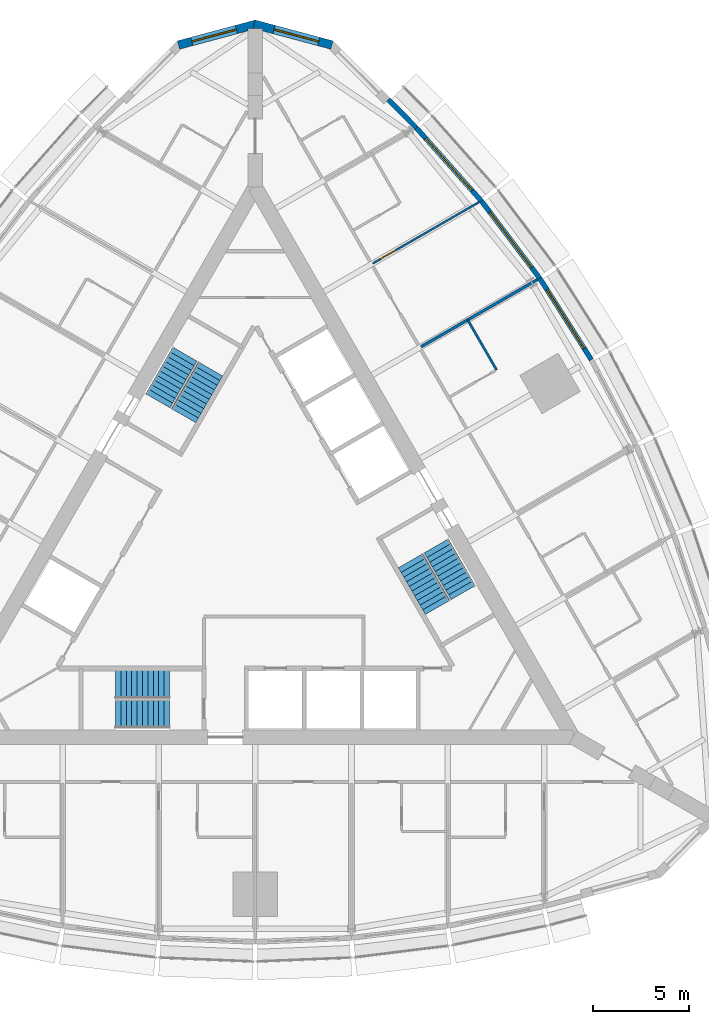
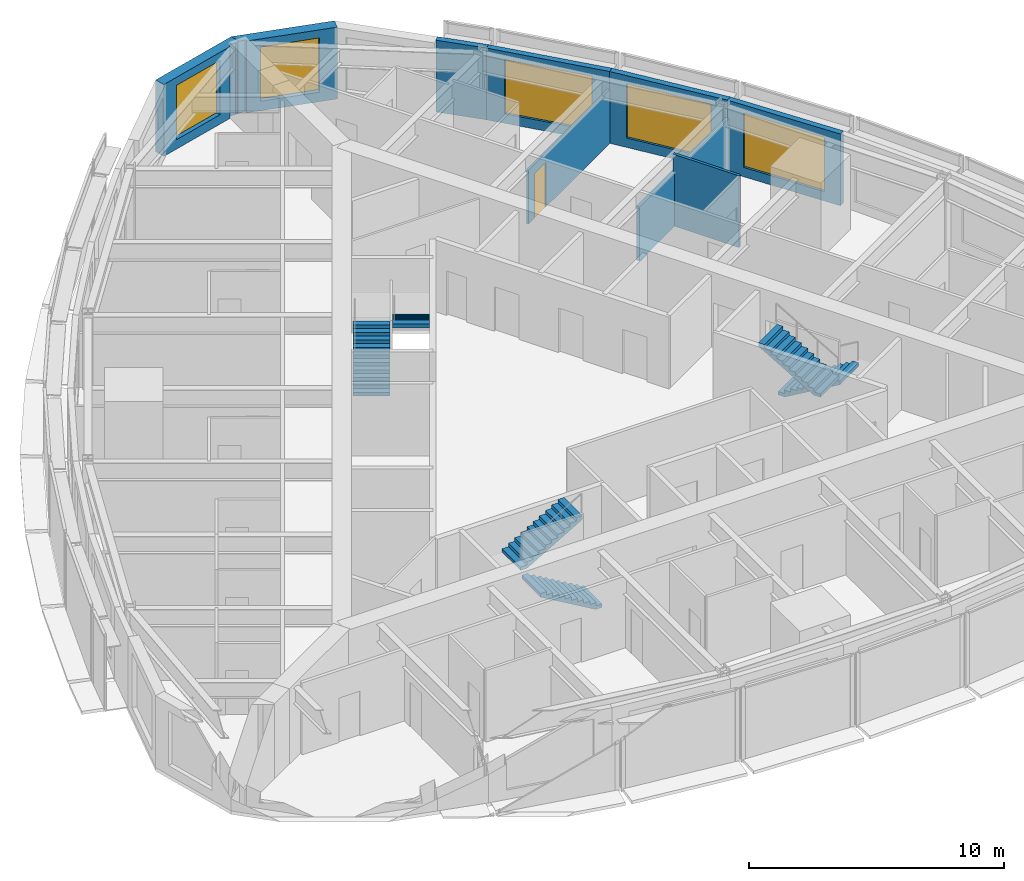
# One storey, part 14 of 15: 9 walls, 6 stair flights, 5 windows, 1 door, 6 openings, 3 elements without a shape of their own.
"""IFC4 building model written with IfcOpenShell, lengths in metres."""

from ifc_helpers import new_model, si_unit, direction, frame, frame_2d, origin, place, context, subcontext, project, spatial, polyline, rectangle, outline, extrude, material, layer, layer_set, type_object, element, fill, aggregate, save


model = new_model("IFC4")

# Units and contexts
model_context = context("Model", 3, precision=1e-05, world=origin(), true_north=direction((0.0, 1.0)))
body_context = subcontext(model_context, "Body", "Model", "MODEL_VIEW")
ifc_project = project(units=[si_unit("LENGTHUNIT", "METRE"), si_unit("AREAUNIT", "SQUARE_METRE"), si_unit("VOLUMEUNIT", "CUBIC_METRE"), si_unit("PLANEANGLEUNIT", "RADIAN"), si_unit("MASSUNIT", "GRAM", prefix="KILO")], contexts=[model_context])

# Site, building, storey
site_placement = place(None, origin())
site = spatial("IfcSite", under=ifc_project, at=site_placement, CompositionType="ELEMENT")
building_placement = place(site_placement, origin())
building = spatial("IfcBuilding", under=site, at=building_placement, Name="Trikona Tower", CompositionType="ELEMENT")
storey_placement = place(building_placement, frame((0.0, 0.0, 211.699951171875)))
storey = spatial("IfcBuildingStorey", under=building, at=storey_placement, Name="L56", CompositionType="ELEMENT", Elevation=211.699951171875)

# Wall
ifc_material_1 = material(Name="Metal stud and cement board", Category="gypsum")
ifc_layer_1 = layer(ifc_material_1, 0.1201171875)
ifc_layer_set_1 = layer_set([ifc_layer_1], Name="Bathroom wall 120")
wall_type_1 = type_object("IfcWallType", Name="Bathroom wall 120", PredefinedType="PLUMBINGWALL", material=ifc_layer_set_1)
wall_1_placement = place(storey_placement, frame((12.53271484375, 9.545166015625, 0.0), z_axis=(0.0, 0.0, 1.0), x_axis=(-0.499990139034, 0.866031096941, 0.0)))
element("IfcWall", 1, at=wall_1_placement, inside=storey, type_object=wall_type_1, Name="Bathroom wall 5608", PredefinedType="PLUMBINGWALL", context=body_context, shape_type="SweptSolid", body=[
    extrude(rectangle(XDim=3.0, YDim=0.1201171875, at=frame_2d((1.5, 0.0))), origin(), (0.0, 0.0, 1.0), 3.43505859375),
])

# Wall, opening, window
ifc_material_2 = material(Name="Brick-faced precast concrete", Category="masonry")
ifc_layer_2 = layer(ifc_material_2, 0.449951171875)
ifc_layer_set_2 = layer_set([ifc_layer_2], Name="Brick-faced corner wall 450")
wall_type_2 = type_object("IfcWallType", Name="Brick-faced corner wall 450", PredefinedType="SOLIDWALL", material=ifc_layer_set_2)
wall_2_placement = place(storey_placement, frame((3.9833984375, 26.41259765625, 0.0), z_axis=(0.0, 0.0, 1.0), x_axis=(-0.965920442324, 0.258839137498, 0.0)))
wall_2 = element("IfcWall", 2, at=wall_2_placement, inside=storey, type_object=wall_type_2, Name="External wall L56-21", PredefinedType="SOLIDWALL", context=body_context, shape_type="SweptSolid", body=[
    extrude(outline(polyline([(4.18408203125, 0.22509765625), (4.124267578125, 0.22509765625), (3.70556640625, 0.11279296875), (3.675537109375, 0.22509765625), (0.0, 0.22509765625), (0.0, -0.22509765625), (4.18408203125, -0.22509765625), (4.18408203125, 0.22509765625)])), origin(), (0.0, 0.0, 1.0), 3.43505859375),
])
opening_1_placement = place(wall_2_placement, frame((0.712646484375, 0.0, 0.449951171875)))
opening_1 = element("IfcOpeningElement", 3, at=opening_1_placement, cuts=wall_2, Name="Opening W2426", PredefinedType="OPENING", context=body_context, shape_type="SweptSolid", body=[
    extrude(rectangle(XDim=2.39990234375, YDim=2.60009765625, at=frame_2d((1.199951171875, 1.300048828125))), frame((0.0, 0.23486328125, 0.0), z_axis=(0.0, -1.0, 0.0), x_axis=(1.0, 0.0, 0.0)), (0.0, 0.0, 1.0), 0.469970703125),
])
ifc_material_3 = material(Name="Aluminium-framed double glazing", Category="aluminium")
window_type_1 = type_object("IfcWindowType", Name="Window 2400x2600", PartitioningType="SINGLE_PANEL", PredefinedType="WINDOW", material=ifc_material_3)
window_1_placement = place(opening_1_placement, origin())
window_1 = element("IfcWindow", 4, at=window_1_placement, inside=storey, type_object=window_type_1, Name="Window 5610", OverallHeight=2.60009765625, OverallWidth=2.39990234375, PartitioningType="SINGLE_PANEL", PredefinedType="WINDOW", context=body_context, shape_type="SweptSolid", body=[
    extrude(rectangle(XDim=2.39990234375, YDim=2.60009765625, at=frame_2d((1.199951171875, 1.300048828125))), frame((0.0, 0.030029296875, 0.0), z_axis=(0.0, -1.0, 0.0), x_axis=(1.0, 0.0, 0.0)), (0.0, 0.0, 1.0), 0.06005859375),
])
fill(opening_1, window_1)

wall_3_placement = place(storey_placement, frame((0.05810546875, 27.49560546875, 0.0), z_axis=(0.0, 0.0, 1.0), x_axis=(-0.965920442324, -0.258839137498, 0.0)))
wall_3 = element("IfcWall", 5, at=wall_3_placement, inside=storey, type_object=wall_type_2, Name="External wall L56-22", PredefinedType="SOLIDWALL", context=body_context, shape_type="SweptSolid", body=[
    extrude(outline(polyline([(4.18408203125, 0.22509765625), (0.5087890625, 0.22509765625), (0.478515625, 0.11279296875), (0.059814453125, 0.22509765625), (0.0, 0.22509765625), (0.0, -0.22509765625), (4.18408203125, -0.22509765625), (4.18408203125, 0.22509765625)])), origin(), (0.0, 0.0, 1.0), 3.43505859375),
])
opening_2_placement = place(wall_3_placement, frame((1.0712890625, 0.0, 0.449951171875)))
opening_2 = element("IfcOpeningElement", 6, at=opening_2_placement, cuts=wall_3, Name="Opening W2426", PredefinedType="OPENING", context=body_context, shape_type="SweptSolid", body=[
    extrude(rectangle(XDim=2.39990234375, YDim=2.60009765625, at=frame_2d((1.199951171875, 1.300048828125))), frame((0.0, 0.23486328125, 0.0), z_axis=(0.0, -1.0, 0.0), x_axis=(1.0, 0.0, 0.0)), (0.0, 0.0, 1.0), 0.469970703125),
])
window_2_placement = place(opening_2_placement, origin())
window_2 = element("IfcWindow", 7, at=window_2_placement, inside=storey, type_object=window_type_1, Name="Window 5611", OverallHeight=2.60009765625, OverallWidth=2.39990234375, PartitioningType="SINGLE_PANEL", PredefinedType="WINDOW", context=body_context, shape_type="SweptSolid", body=[
    extrude(rectangle(XDim=2.39990234375, YDim=2.60009765625, at=frame_2d((1.199951171875, 1.300048828125))), frame((0.0, 0.030029296875, 0.0), z_axis=(0.0, -1.0, 0.0), x_axis=(1.0, 0.0, 0.0)), (0.0, 0.0, 1.0), 0.06005859375),
])
fill(opening_2, window_2)

ifc_material_4 = material(Name="Insulated precast concrete spandrel panel", Category="concrete")
ifc_layer_3 = layer(ifc_material_4, 0.25)
ifc_layer_set_3 = layer_set([ifc_layer_3], Name="Inner skin wall 250")
wall_type_3 = type_object("IfcWallType", Name="Inner skin wall 250", PredefinedType="STANDARD", material=ifc_layer_set_3)
wall_4_placement = place(storey_placement, frame((17.45556640625, 10.072021484375, 0.0), z_axis=(0.0, 0.0, 1.0), x_axis=(-0.535220361449, 0.844712474568, 0.0)))
wall_4 = element("IfcWall", 8, at=wall_4_placement, inside=storey, type_object=wall_type_3, Name="External wall L56-16", PredefinedType="STANDARD", context=body_context, shape_type="SweptSolid", body=[
    extrude(rectangle(XDim=5.00439453125, YDim=0.25, at=frame_2d((2.502197265625, 0.0))), origin(), (0.0, 0.0, 1.0), 3.43505859375),
])
opening_3_placement = place(wall_4_placement, frame((0.7021484375, 0.0, 0.449951171875)))
opening_3 = element("IfcOpeningElement", 9, at=opening_3_placement, cuts=wall_4, Name="Opening W3626", PredefinedType="OPENING", context=body_context, shape_type="SweptSolid", body=[
    extrude(rectangle(XDim=3.60009765625, YDim=2.60009765625, at=frame_2d((1.800048828125, 1.300048828125))), frame((0.0, 0.135009765625, 0.0), z_axis=(0.0, -1.0, 0.0), x_axis=(1.0, 0.0, 0.0)), (0.0, 0.0, 1.0), 0.27001953125),
])
ifc_material_5 = material(Name="Aluminium-framed double glazing", Category="aluminium")
window_type_2 = type_object("IfcWindowType", Name="Window 3600x2600", PartitioningType="SINGLE_PANEL", PredefinedType="WINDOW", material=ifc_material_5)
window_3_placement = place(opening_3_placement, origin())
window_3 = element("IfcWindow", 10, at=window_3_placement, inside=storey, type_object=window_type_2, Name="Window 5608", OverallHeight=2.60009765625, OverallWidth=3.60009765625, PartitioningType="SINGLE_PANEL", PredefinedType="WINDOW", context=body_context, shape_type="SweptSolid", body=[
    extrude(rectangle(XDim=3.60009765625, YDim=2.60009765625, at=frame_2d((1.800048828125, 1.300048828125))), frame((0.0, 0.030029296875, 0.0), z_axis=(0.0, -1.0, 0.0), x_axis=(1.0, 0.0, 0.0)), (0.0, 0.0, 1.0), 0.06005859375),
])
fill(opening_3, window_3)

wall_5_placement = place(storey_placement, frame((14.782958984375, 14.290771484375, 0.0), z_axis=(0.0, 0.0, 1.0), x_axis=(-0.602408653511, 0.798187831388, 0.0)))
wall_5 = element("IfcWall", 11, at=wall_5_placement, inside=storey, type_object=wall_type_3, Name="External wall L56-17", PredefinedType="STANDARD", context=body_context, shape_type="SweptSolid", body=[
    extrude(rectangle(XDim=5.037841796875, YDim=0.25, at=frame_2d((2.51904296875, 0.0))), origin(), (0.0, 0.0, 1.0), 3.43505859375),
])
opening_4_placement = place(wall_5_placement, frame((0.718994140625, 0.0, 0.449951171875)))
opening_4 = element("IfcOpeningElement", 12, at=opening_4_placement, cuts=wall_5, Name="Opening W3626", PredefinedType="OPENING", context=body_context, shape_type="SweptSolid", body=[
    extrude(rectangle(XDim=3.60009765625, YDim=2.60009765625, at=frame_2d((1.800048828125, 1.300048828125))), frame((0.0, 0.135009765625, 0.0), z_axis=(0.0, -1.0, 0.0), x_axis=(1.0, 0.0, 0.0)), (0.0, 0.0, 1.0), 0.27001953125),
])
window_4_placement = place(opening_4_placement, origin())
window_4 = element("IfcWindow", 13, at=window_4_placement, inside=storey, type_object=window_type_2, Name="Window 5609", OverallHeight=2.60009765625, OverallWidth=3.60009765625, PartitioningType="SINGLE_PANEL", PredefinedType="WINDOW", context=body_context, shape_type="SweptSolid", body=[
    extrude(rectangle(XDim=3.60009765625, YDim=2.60009765625, at=frame_2d((1.800048828125, 1.300048828125))), frame((0.0, 0.030029296875, 0.0), z_axis=(0.0, -1.0, 0.0), x_axis=(1.0, 0.0, 0.0)), (0.0, 0.0, 1.0), 0.06005859375),
])
fill(opening_4, window_4)

wall_6_placement = place(storey_placement, frame((11.75439453125, 18.304443359375, 0.0), z_axis=(0.0, 0.0, 1.0), x_axis=(-0.664348996191, 0.747422511876, 0.0)))
wall_6 = element("IfcWall", 14, at=wall_6_placement, inside=storey, type_object=wall_type_3, Name="External wall L56-18", PredefinedType="STANDARD", context=body_context, shape_type="SweptSolid", body=[
    extrude(rectangle(XDim=5.104736328125, YDim=0.25, at=frame_2d((2.55224609375, 0.0))), origin(), (0.0, 0.0, 1.0), 3.43505859375),
])
opening_5_placement = place(wall_6_placement, frame((0.75244140625, 0.0, 0.449951171875)))
opening_5 = element("IfcOpeningElement", 15, at=opening_5_placement, cuts=wall_6, Name="Opening W3626", PredefinedType="OPENING", context=body_context, shape_type="SweptSolid", body=[
    extrude(rectangle(XDim=3.60009765625, YDim=2.60009765625, at=frame_2d((1.800048828125, 1.300048828125))), frame((0.0, 0.135009765625, 0.0), z_axis=(0.0, -1.0, 0.0), x_axis=(1.0, 0.0, 0.0)), (0.0, 0.0, 1.0), 0.27001953125),
])
window_5_placement = place(opening_5_placement, origin())
window_5 = element("IfcWindow", 16, at=window_5_placement, inside=storey, type_object=window_type_2, Name="Window 5609.1", OverallHeight=2.60009765625, OverallWidth=3.60009765625, PartitioningType="SINGLE_PANEL", PredefinedType="WINDOW", context=body_context, shape_type="SweptSolid", body=[
    extrude(rectangle(XDim=3.60009765625, YDim=2.60009765625, at=frame_2d((1.800048828125, 1.300048828125))), frame((0.0, 0.030029296875, 0.0), z_axis=(0.0, -1.0, 0.0), x_axis=(1.0, 0.0, 0.0)), (0.0, 0.0, 1.0), 0.06005859375),
])
fill(opening_5, window_5)

# Walls
wall_7_placement = place(storey_placement, frame((8.36767578125, 22.11474609375, 0.0), z_axis=(0.0, 0.0, 1.0), x_axis=(-0.704149946111, 0.710051303352, 0.0)))
element("IfcWall", 17, at=wall_7_placement, inside=storey, type_object=wall_type_3, Name="External wall L56-19", PredefinedType="STANDARD", context=body_context, shape_type="SweptSolid", body=[
    extrude(rectangle(XDim=2.068603515625, YDim=0.25, at=frame_2d((1.0341796875, 0.0))), origin(), (0.0, 0.0, 1.0), 3.43505859375),
])
ifc_material_6 = material(Name="Metal stud and gypsum board, 1-hour acoustic", Category="gypsum")
ifc_layer_4 = layer(ifc_material_6, 0.14990234375)
ifc_layer_set_4 = layer_set([ifc_layer_4], Name="Party wall 150")
wall_type_4 = type_object("IfcWallType", Name="Party wall 150", PredefinedType="PARTITIONING", material=ifc_layer_set_4)
wall_8_placement = place(storey_placement, frame((8.60791015625, 10.743408203125, 0.0), z_axis=(0.0, 0.0, 1.0), x_axis=(0.86604781716, 0.499961176886, 0.0)))
element("IfcWall", 18, at=wall_8_placement, inside=storey, type_object=wall_type_4, Name="Partition L56 F2 u5", PredefinedType="PARTITIONING", context=body_context, shape_type="SweptSolid", body=[
    extrude(rectangle(XDim=6.99365234375, YDim=0.14990234375, at=frame_2d((3.496826171875, 0.0))), origin(), (0.0, 0.0, 1.0), 2.58935546875),
])

# Wall, opening, door
ifc_material_7 = material(Name="Metal stud and gypsum board, acoustic", Category="gypsum")
ifc_layer_5 = layer(ifc_material_7, 0.10009765625)
ifc_layer_set_5 = layer_set([ifc_layer_5], Name="Suite partition 100")
wall_type_5 = type_object("IfcWallType", Name="Suite partition 100", PredefinedType="PARTITIONING", material=ifc_layer_set_5)
wall_9_placement = place(storey_placement, frame((6.10791015625, 15.073486328125, 0.0), z_axis=(0.0, 0.0, 1.0), x_axis=(0.866035028144, 0.499983329749, 0.0)))
wall_9 = element("IfcWall", 19, at=wall_9_placement, inside=storey, type_object=wall_type_5, Name="Suite partition L56 F2 u10", PredefinedType="PARTITIONING", context=body_context, shape_type="SweptSolid", body=[
    extrude(rectangle(XDim=6.372802734375, YDim=0.10009765625, at=frame_2d((3.1865234375, 0.0))), origin(), (0.0, 0.0, 1.0), 2.58935546875),
])
opening_6_placement = place(wall_9_placement, frame((0.449951171875, 0.0, 0.0)))
opening_6 = element("IfcOpeningElement", 20, at=opening_6_placement, cuts=wall_9, Name="Opening D13", PredefinedType="OPENING", context=body_context, shape_type="SweptSolid", body=[
    extrude(rectangle(XDim=0.89990234375, YDim=2.1298828125, at=frame_2d((0.449951171875, 1.06494140625))), frame((0.0, 0.06005859375, 0.0), z_axis=(0.0, -1.0, 0.0), x_axis=(1.0, 0.0, 0.0)), (0.0, 0.0, 1.0), 0.1201171875),
])
ifc_material_8 = material(Name="Steel door frame with solid-core timber leaf", Category="steel")
door_type = type_object("IfcDoorType", Name="Suite door 900x2130", OperationType="SINGLE_SWING_LEFT", PredefinedType="DOOR", material=ifc_material_8)
door_placement = place(opening_6_placement, origin())
door = element("IfcDoor", 21, at=door_placement, inside=storey, type_object=door_type, Name="Suite door 5609", OperationType="SINGLE_SWING_LEFT", OverallHeight=2.1298828125, OverallWidth=0.89990234375, PredefinedType="DOOR", context=body_context, shape_type="SweptSolid", body=[
    extrude(rectangle(XDim=0.89990234375, YDim=2.1298828125, at=frame_2d((0.449951171875, 1.06494140625))), frame((0.0, 0.02490234375, 0.0), z_axis=(0.0, -1.0, 0.0), x_axis=(1.0, 0.0, 0.0)), (0.0, 0.0, 1.0), 0.050048828125),
])
fill(opening_6, door)

# Stair, stair flights
ifc_material_9 = material(Name="Concrete f'c 5000 psi", Category="concrete")
stair_type = type_object("IfcStairType", Name="Core stair", PredefinedType="HALF_TURN_STAIR", material=ifc_material_9)
stair_1_placement = place(storey_placement, origin())
stair_1 = element("IfcStair", 22, at=stair_1_placement, inside=storey, type_object=stair_type, Name="Stair A L56", PredefinedType="HALF_TURN_STAIR")
ifc_material_10 = material(Name="Concrete f'c 5000 psi", Category="concrete")
stair_flight_type = type_object("IfcStairFlightType", Name="Core stair flight 1450", PredefinedType="STRAIGHT", material=ifc_material_10)
stair_flight_1_placement = place(storey_placement, frame((-4.449951171875, -8.351318359375, 0.0), z_axis=(0.0, 0.0, 1.0), x_axis=(-1.0, 0.0, 0.0)))
stair_flight_1 = element("IfcStairFlight", 23, at=stair_flight_1_placement, type_object=stair_flight_type, Name="ST-A flight 1", NumberOfRisers=11, NumberOfTreads=10, PredefinedType="STRAIGHT", RiserHeight=0.163636, TreadLength=0.28, context=body_context, shape_type="SweptSolid", body=[
    extrude(outline(polyline([(0.0, 0.0), (0.0, 0.16357421875), (0.280029296875, 0.16357421875), (0.280029296875, 0.327392578125), (0.56005859375, 0.327392578125), (0.56005859375, 0.490966796875), (0.840087890625, 0.490966796875), (0.840087890625, 0.654541015625), (1.1201171875, 0.654541015625), (1.1201171875, 0.818115234375), (1.39990234375, 0.818115234375), (1.39990234375, 0.98193359375), (1.679931640625, 0.98193359375), (1.679931640625, 1.1455078125), (1.9599609375, 1.1455078125), (1.9599609375, 1.30908203125), (2.239990234375, 1.30908203125), (2.239990234375, 1.47265625), (2.52001953125, 1.47265625), (2.52001953125, 1.636474609375), (2.800048828125, 1.636474609375), (2.800048828125, 1.800048828125), (2.800048828125, 1.462646484375), (0.297119140625, 0.0), (0.0, 0.0)])), frame((0.0, 0.72509765625, 0.0), z_axis=(0.0, -1.0, 0.0), x_axis=(1.0, 0.0, 0.0)), (0.0, 0.0, 1.0), 1.449951171875),
])
stair_flight_2_placement = place(storey_placement, frame((-7.25, -6.80126953125, 1.800048828125), z_axis=(0.0, 0.0, 1.0), x_axis=(1.0, 0.0, 0.0)))
stair_flight_2 = element("IfcStairFlight", 24, at=stair_flight_2_placement, type_object=stair_flight_type, Name="ST-A flight 2", NumberOfRisers=11, NumberOfTreads=10, PredefinedType="STRAIGHT", RiserHeight=0.163636, TreadLength=0.28, context=body_context, shape_type="SweptSolid", body=[
    extrude(outline(polyline([(0.0, 0.0), (0.0, 0.16357421875), (0.280029296875, 0.16357421875), (0.280029296875, 0.327392578125), (0.56005859375, 0.327392578125), (0.56005859375, 0.490966796875), (0.840087890625, 0.490966796875), (0.840087890625, 0.654541015625), (1.1201171875, 0.654541015625), (1.1201171875, 0.818115234375), (1.39990234375, 0.818115234375), (1.39990234375, 0.98193359375), (1.679931640625, 0.98193359375), (1.679931640625, 1.1455078125), (1.9599609375, 1.1455078125), (1.9599609375, 1.30908203125), (2.239990234375, 1.30908203125), (2.239990234375, 1.47265625), (2.52001953125, 1.47265625), (2.52001953125, 1.636474609375), (2.800048828125, 1.636474609375), (2.800048828125, 1.800048828125), (2.800048828125, 1.462646484375), (0.297119140625, 0.0), (0.0, 0.0)])), frame((0.0, 0.72509765625, 0.0), z_axis=(0.0, -1.0, 0.0), x_axis=(1.0, 0.0, 0.0)), (0.0, 0.0, 1.0), 1.449951171875),
])
aggregate(stair_1, [stair_flight_1, stair_flight_2])

stair_2_placement = place(storey_placement, origin())
stair_2 = element("IfcStair", 25, at=stair_2_placement, inside=storey, type_object=stair_type, Name="Stair B L56", PredefinedType="HALF_TURN_STAIR")
stair_flight_3_placement = place(storey_placement, frame((9.407470703125, 0.408447265625, 0.0), z_axis=(0.0, 0.0, 1.0), x_axis=(0.5, -0.866025403784, 0.0)))
stair_flight_3 = element("IfcStairFlight", 26, at=stair_flight_3_placement, type_object=stair_flight_type, Name="ST-B flight 1", NumberOfRisers=11, NumberOfTreads=10, PredefinedType="STRAIGHT", RiserHeight=0.163636, TreadLength=0.28, context=body_context, shape_type="SweptSolid", body=[
    extrude(outline(polyline([(0.0, 0.0), (0.0, 0.16357421875), (0.280029296875, 0.16357421875), (0.280029296875, 0.327392578125), (0.56005859375, 0.327392578125), (0.56005859375, 0.490966796875), (0.840087890625, 0.490966796875), (0.840087890625, 0.654541015625), (1.1201171875, 0.654541015625), (1.1201171875, 0.818115234375), (1.39990234375, 0.818115234375), (1.39990234375, 0.98193359375), (1.679931640625, 0.98193359375), (1.679931640625, 1.1455078125), (1.9599609375, 1.1455078125), (1.9599609375, 1.30908203125), (2.239990234375, 1.30908203125), (2.239990234375, 1.47265625), (2.52001953125, 1.47265625), (2.52001953125, 1.636474609375), (2.800048828125, 1.636474609375), (2.800048828125, 1.800048828125), (2.800048828125, 1.462646484375), (0.297119140625, 0.0), (0.0, 0.0)])), frame((0.0, 0.72509765625, 0.0), z_axis=(0.0, -1.0, 0.0), x_axis=(1.0, 0.0, 0.0)), (0.0, 0.0, 1.0), 1.449951171875),
])
stair_flight_4_placement = place(storey_placement, frame((9.465087890625, -2.79150390625, 1.800048828125), z_axis=(0.0, 0.0, 1.0), x_axis=(-0.5, 0.866025403784, 0.0)))
stair_flight_4 = element("IfcStairFlight", 27, at=stair_flight_4_placement, type_object=stair_flight_type, Name="ST-B flight 2", NumberOfRisers=11, NumberOfTreads=10, PredefinedType="STRAIGHT", RiserHeight=0.163636, TreadLength=0.28, context=body_context, shape_type="SweptSolid", body=[
    extrude(outline(polyline([(0.0, 0.0), (0.0, 0.16357421875), (0.280029296875, 0.16357421875), (0.280029296875, 0.327392578125), (0.56005859375, 0.327392578125), (0.56005859375, 0.490966796875), (0.840087890625, 0.490966796875), (0.840087890625, 0.654541015625), (1.1201171875, 0.654541015625), (1.1201171875, 0.818115234375), (1.39990234375, 0.818115234375), (1.39990234375, 0.98193359375), (1.679931640625, 0.98193359375), (1.679931640625, 1.1455078125), (1.9599609375, 1.1455078125), (1.9599609375, 1.30908203125), (2.239990234375, 1.30908203125), (2.239990234375, 1.47265625), (2.52001953125, 1.47265625), (2.52001953125, 1.636474609375), (2.800048828125, 1.636474609375), (2.800048828125, 1.800048828125), (2.800048828125, 1.462646484375), (0.297119140625, 0.0), (0.0, 0.0)])), frame((0.0, 0.72509765625, 0.0), z_axis=(0.0, -1.0, 0.0), x_axis=(1.0, 0.0, 0.0)), (0.0, 0.0, 1.0), 1.449951171875),
])
aggregate(stair_2, [stair_flight_3, stair_flight_4])

stair_3_placement = place(storey_placement, origin())
stair_3 = element("IfcStair", 28, at=stair_3_placement, inside=storey, type_object=stair_type, Name="Stair C L56", PredefinedType="HALF_TURN_STAIR")
stair_flight_5_placement = place(storey_placement, frame((-5.057373046875, 7.94287109375, 0.0), z_axis=(0.0, 0.0, 1.0), x_axis=(0.5, 0.866025403784, 0.0)))
stair_flight_5 = element("IfcStairFlight", 29, at=stair_flight_5_placement, type_object=stair_flight_type, Name="ST-C flight 1", NumberOfRisers=11, NumberOfTreads=10, PredefinedType="STRAIGHT", RiserHeight=0.163636, TreadLength=0.28, context=body_context, shape_type="SweptSolid", body=[
    extrude(outline(polyline([(0.0, 0.0), (0.0, 0.16357421875), (0.280029296875, 0.16357421875), (0.280029296875, 0.327392578125), (0.56005859375, 0.327392578125), (0.56005859375, 0.490966796875), (0.840087890625, 0.490966796875), (0.840087890625, 0.654541015625), (1.1201171875, 0.654541015625), (1.1201171875, 0.818115234375), (1.39990234375, 0.818115234375), (1.39990234375, 0.98193359375), (1.679931640625, 0.98193359375), (1.679931640625, 1.1455078125), (1.9599609375, 1.1455078125), (1.9599609375, 1.30908203125), (2.239990234375, 1.30908203125), (2.239990234375, 1.47265625), (2.52001953125, 1.47265625), (2.52001953125, 1.636474609375), (2.800048828125, 1.636474609375), (2.800048828125, 1.800048828125), (2.800048828125, 1.462646484375), (0.297119140625, 0.0), (0.0, 0.0)])), frame((0.0, 0.72509765625, 0.0), z_axis=(0.0, -1.0, 0.0), x_axis=(1.0, 0.0, 0.0)), (0.0, 0.0, 1.0), 1.449951171875),
])
stair_flight_6_placement = place(storey_placement, frame((-2.315185546875, 9.5927734375, 1.800048828125), z_axis=(0.0, 0.0, 1.0), x_axis=(-0.5, -0.866025403784, 0.0)))
stair_flight_6 = element("IfcStairFlight", 30, at=stair_flight_6_placement, type_object=stair_flight_type, Name="ST-C flight 2", NumberOfRisers=11, NumberOfTreads=10, PredefinedType="STRAIGHT", RiserHeight=0.163636, TreadLength=0.28, context=body_context, shape_type="SweptSolid", body=[
    extrude(outline(polyline([(0.0, 0.0), (0.0, 0.16357421875), (0.280029296875, 0.16357421875), (0.280029296875, 0.327392578125), (0.56005859375, 0.327392578125), (0.56005859375, 0.490966796875), (0.840087890625, 0.490966796875), (0.840087890625, 0.654541015625), (1.1201171875, 0.654541015625), (1.1201171875, 0.818115234375), (1.39990234375, 0.818115234375), (1.39990234375, 0.98193359375), (1.679931640625, 0.98193359375), (1.679931640625, 1.1455078125), (1.9599609375, 1.1455078125), (1.9599609375, 1.30908203125), (2.239990234375, 1.30908203125), (2.239990234375, 1.47265625), (2.52001953125, 1.47265625), (2.52001953125, 1.636474609375), (2.800048828125, 1.636474609375), (2.800048828125, 1.800048828125), (2.800048828125, 1.462646484375), (0.297119140625, 0.0), (0.0, 0.0)])), frame((0.0, 0.72509765625, 0.0), z_axis=(0.0, -1.0, 0.0), x_axis=(1.0, 0.0, 0.0)), (0.0, 0.0, 1.0), 1.449951171875),
])
aggregate(stair_3, [stair_flight_5, stair_flight_6])

save(model, "model.ifc")
